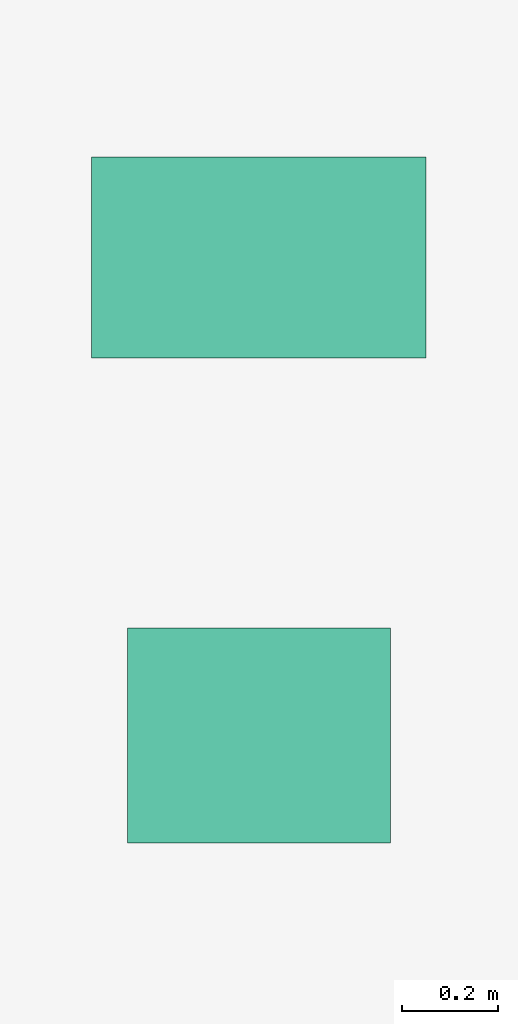
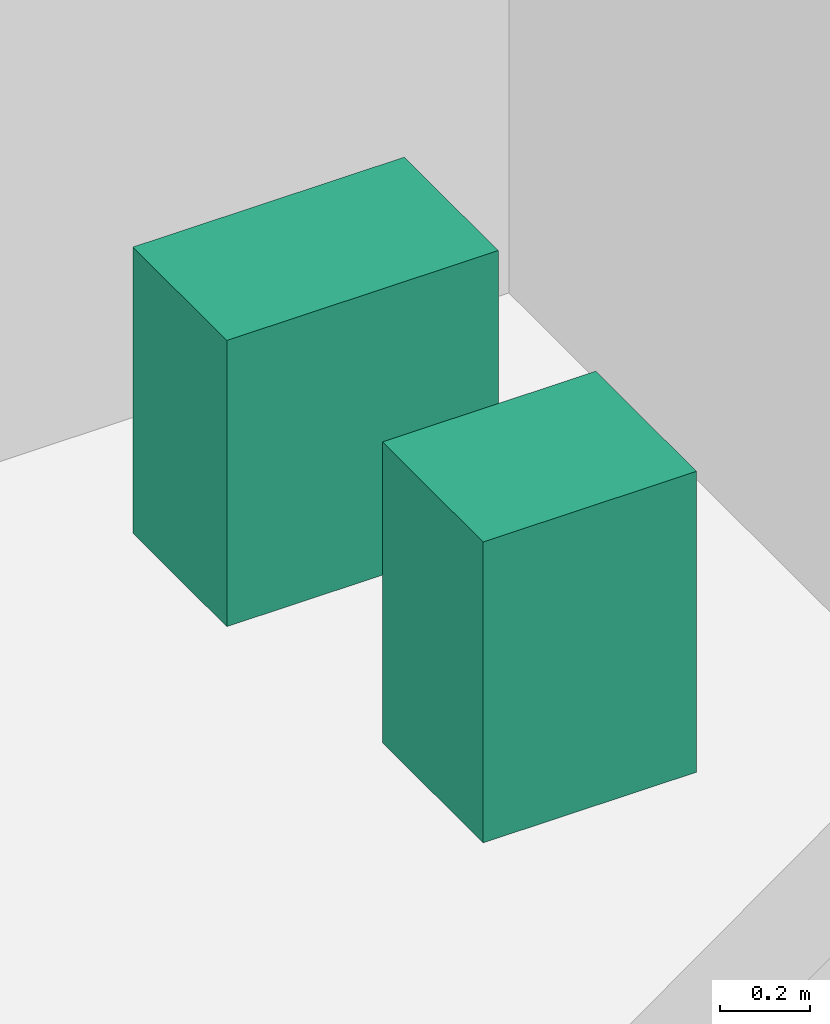
# One storey, part 36 of 36: 2 sanitary terminals.
"""IFC4 building model written with IfcOpenShell, lengths in metres."""

from ifc_helpers import new_model, si_unit, direction, frame, origin, origin_2d, place, context, subcontext, project, spatial, rectangle, extrude, source, transform, mapped, material, type_object, element, save


model = new_model("IFC4")

# Units and contexts
model_context = context("Model", 3, precision=1e-05, world=origin(), true_north=direction((0.0, 1.0)))
body_context = subcontext(model_context, "Body", "Model", "MODEL_VIEW")
ifc_project = project(units=[si_unit("LENGTHUNIT", "METRE"), si_unit("AREAUNIT", "SQUARE_METRE"), si_unit("VOLUMEUNIT", "CUBIC_METRE"), si_unit("PLANEANGLEUNIT", "RADIAN"), si_unit("MASSUNIT", "GRAM", prefix="KILO")], contexts=[model_context])

# Site, building, storey
site_placement = place(None, origin())
site = spatial("IfcSite", under=ifc_project, at=site_placement, CompositionType="ELEMENT")
building_placement = place(site_placement, origin())
building = spatial("IfcBuilding", under=site, at=building_placement, Name="Sumidabori Civic Tower", CompositionType="ELEMENT")
storey_placement = place(building_placement, frame((0.0, 0.0, 84.800048828125)))
storey = spatial("IfcBuildingStorey", under=building, at=storey_placement, Name="L21", CompositionType="ELEMENT", Elevation=84.800048828125)

# Sanitary terminals
ifc_material = material(Name="Vitreous Sanitary Porcelain")
sanitary_terminal_type_1 = type_object("IfcSanitaryTerminalType", Name="SN-WC-1", PredefinedType="TOILETPAN", material=ifc_material)
shared_shape_1 = source(origin(), body_context, "Body", "SweptSolid", [
    extrude(rectangle(XDim=0.699951171875, YDim=0.419921875, at=origin_2d()), origin(), (0.0, 0.0, 1.0), 0.780029296875),
])
sanitary_terminal_1_placement = place(storey_placement, frame((10.800048828125, 21.85009765625, 0.0), z_axis=(0.0, 0.0, 1.0), x_axis=(1.0, 0.0, 0.0)))
element("IfcSanitaryTerminal", 1, at=sanitary_terminal_1_placement, inside=storey, type_object=sanitary_terminal_type_1, Name="Accessible WC Pan L21", PredefinedType="TOILETPAN", context=body_context, shape_type="MappedRepresentation", body=[
    mapped(shared_shape_1, transform((0.0, 0.0, 0.0), x_axis=(1.0, 0.0, 0.0), y_axis=(0.0, 1.0, 0.0), z_axis=(0.0, 0.0, 1.0), scale=1.0)),
])
sanitary_terminal_type_2 = type_object("IfcSanitaryTerminalType", Name="SN-BAS-1", PredefinedType="WASHHANDBASIN", material=ifc_material)
shared_shape_2 = source(origin(), body_context, "Body", "SweptSolid", [
    extrude(rectangle(XDim=0.550048828125, YDim=0.449951171875, at=origin_2d()), origin(), (0.0, 0.0, 1.0), 0.820068359375),
])
sanitary_terminal_2_placement = place(storey_placement, frame((10.800048828125, 20.85009765625, 0.0), z_axis=(0.0, 0.0, 1.0), x_axis=(1.0, 0.0, 0.0)))
element("IfcSanitaryTerminal", 2, at=sanitary_terminal_2_placement, inside=storey, type_object=sanitary_terminal_type_2, Name="Accessible Basin L21", PredefinedType="WASHHANDBASIN", context=body_context, shape_type="MappedRepresentation", body=[
    mapped(shared_shape_2, transform((0.0, 0.0, 0.0), x_axis=(1.0, 0.0, 0.0), y_axis=(0.0, 1.0, 0.0), z_axis=(0.0, 0.0, 1.0), scale=1.0)),
])

save(model, "model.ifc")
